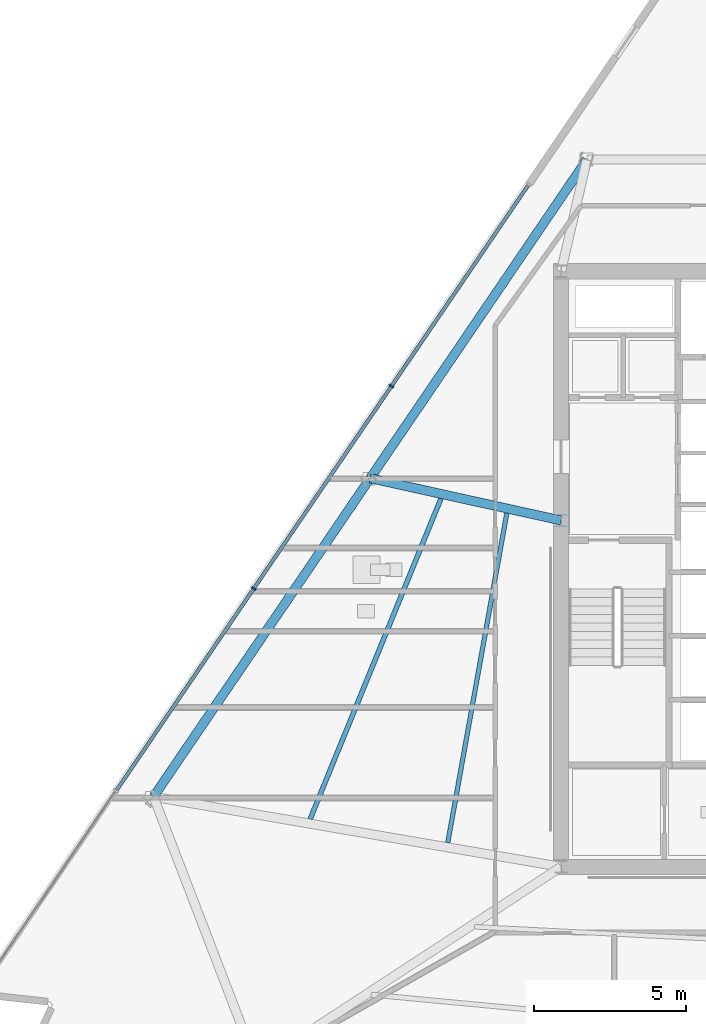
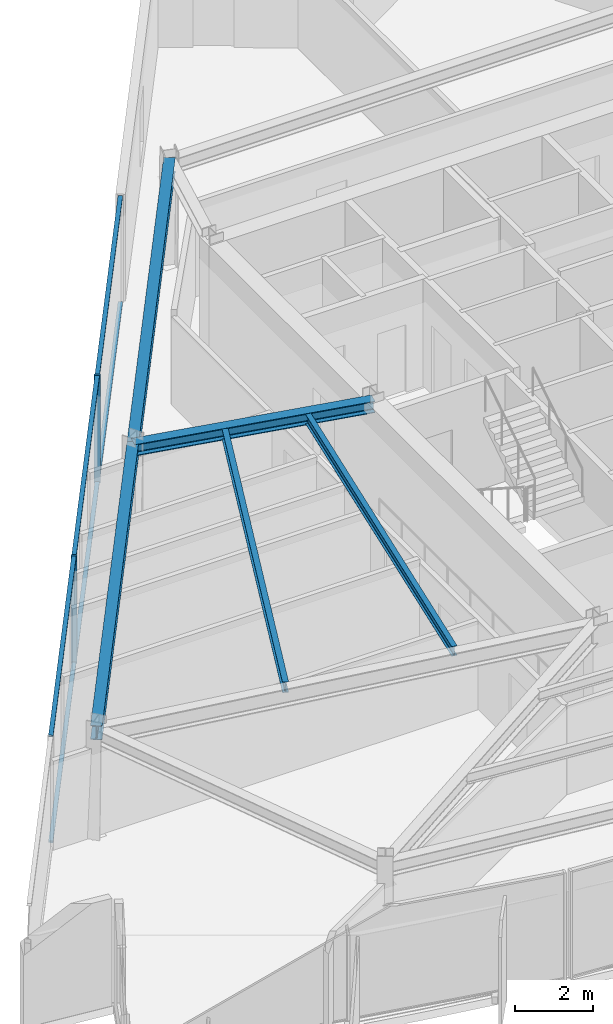
# One storey, part 4 of 16: 8 members, 5 beams, 1 element without a shape of its own.
"""IFC4 building model written with IfcOpenShell, lengths in metres."""

from ifc_helpers import new_model, si_unit, direction, frame, origin, origin_2d, place, context, subcontext, project, spatial, rectangle, i_section, extrude, material, material_profile, profile_set, type_object, element, aggregate, save


model = new_model("IFC4")

# Units and contexts
model_context = context("Model", 3, precision=1e-05, world=origin(), true_north=direction((0.0, 1.0)))
body_context = subcontext(model_context, "Body", "Model", "MODEL_VIEW")
ifc_project = project(units=[si_unit("LENGTHUNIT", "METRE"), si_unit("AREAUNIT", "SQUARE_METRE"), si_unit("VOLUMEUNIT", "CUBIC_METRE"), si_unit("PLANEANGLEUNIT", "RADIAN"), si_unit("MASSUNIT", "GRAM", prefix="KILO")], contexts=[model_context])

# Site, building, storey
site_placement = place(None, origin())
site = spatial("IfcSite", under=ifc_project, at=site_placement, CompositionType="ELEMENT")
building_placement = place(site_placement, origin())
building = spatial("IfcBuilding", under=site, at=building_placement, Name="Savorim Split Tower", CompositionType="ELEMENT")
storey_placement = place(building_placement, frame((0.0, 0.0, 156.60009765625)))
storey = spatial("IfcBuildingStorey", under=building, at=storey_placement, Name="L41", CompositionType="ELEMENT", Elevation=156.60009765625)

# Beams
ifc_material_1 = material(Name="Steel S355", Category="steel")
ifc_material_profile_1 = material_profile(ifc_material_1, i_section(OverallWidth=0.14990234375, OverallDepth=0.300048828125, WebThickness=0.007080078125, FlangeThickness=0.0107421875, FilletRadius=0.014892578125, at=origin_2d()), Name="IPE 300")
ifc_profile_set_1 = profile_set([ifc_material_profile_1], Name="Steel S355")
beam_type_1 = type_object("IfcBeamType", Name="BM-JST-IPE300", PredefinedType="JOIST", material=ifc_profile_set_1)
beam_1_placement = place(storey_placement, frame((-9.487060546875, 2.231689453125, 3.199951171875), z_axis=(-0.176375166544, -0.984323016406, 0.0), x_axis=(0.984323016406, -0.176375166544, 0.0)))
element("IfcBeam", 1, at=beam_1_placement, inside=storey, type_object=beam_type_1, Name="L41 Secondary Floor Joist JS-11", PredefinedType="JOIST", context=body_context, shape_type="SweptSolid", body=[
    extrude(i_section(OverallWidth=0.14990234375, OverallDepth=0.300048828125, WebThickness=0.007080078125, FlangeThickness=0.0107421875, FilletRadius=0.014892578125, at=origin_2d()), origin(), (0.0, 0.0, 1.0), 11.000244140625),
])
ifc_material_profile_2 = material_profile(ifc_material_1, i_section(OverallWidth=0.159912109375, OverallDepth=0.330078125, WebThickness=0.007568359375, FlangeThickness=0.011474609375, FilletRadius=0.01806640625, at=origin_2d()), Name="IPE 330")
ifc_profile_set_2 = profile_set([ifc_material_profile_2], Name="Steel S355")
beam_type_2 = type_object("IfcBeamType", Name="BM-JST-IPE330", PredefinedType="JOIST", material=ifc_profile_set_2)
beam_2_placement = place(storey_placement, frame((-11.6552734375, 2.7138671875, 3.184814453125), z_axis=(-0.377900000327, -0.925846418016, 0.0), x_axis=(0.925846418016, -0.377900000327, 0.0)))
element("IfcBeam", 2, at=beam_2_placement, inside=storey, type_object=beam_type_2, Name="L41 Secondary Floor Joist JS-10", PredefinedType="JOIST", context=body_context, shape_type="SweptSolid", body=[
    extrude(i_section(OverallWidth=0.159912109375, OverallDepth=0.330078125, WebThickness=0.007568359375, FlangeThickness=0.011474609375, FilletRadius=0.01806640625, at=origin_2d()), origin(), (0.0, 0.0, 1.0), 11.378173828125),
])
ifc_material_profile_3 = material_profile(ifc_material_1, i_section(OverallWidth=0.300048828125, OverallDepth=0.360107421875, WebThickness=0.012451171875, FlangeThickness=0.0224609375, FilletRadius=0.027099609375, at=origin_2d()), Name="HEB 360")
ifc_profile_set_3 = profile_set([ifc_material_profile_3], Name="Steel S355")
beam_type_3 = type_object("IfcBeamType", Name="BM-PRI-HEB360", PredefinedType="BEAM", material=ifc_profile_set_3)
beam_3_placement = place(storey_placement, frame((-13.98193359375, 3.39013671875, 3.169921875), z_axis=(0.976379527613, -0.216062532751, 0.0), x_axis=(0.216062532751, 0.976379527613, 0.0)))
element("IfcBeam", 3, at=beam_3_placement, inside=storey, type_object=beam_type_3, Name="L41 Primary Floor Girder RG-09", PredefinedType="BEAM", context=body_context, shape_type="SweptSolid", body=[
    extrude(i_section(OverallWidth=0.300048828125, OverallDepth=0.360107421875, WebThickness=0.012451171875, FlangeThickness=0.0224609375, FilletRadius=0.027099609375, at=origin_2d()), origin(), (0.0, 0.0, 1.0), 6.433837890625),
])
ifc_material_profile_4 = material_profile(ifc_material_1, i_section(OverallWidth=0.300048828125, OverallDepth=0.43994140625, WebThickness=0.011474609375, FlangeThickness=0.02099609375, FilletRadius=0.027099609375, at=origin_2d()), Name="HEA 450")
ifc_profile_set_4 = profile_set([ifc_material_profile_4], Name="Steel S355")
beam_type_4 = type_object("IfcBeamType", Name="BM-SPN-HEA450", PredefinedType="SPANDREL", material=ifc_profile_set_4)
beam_4_placement = place(storey_placement, frame((-6.851318359375, 13.8720703125, 3.1298828125), z_axis=(-0.562466455714, -0.826820105099, 0.0), x_axis=(0.826820105099, -0.562466455714, 0.0)))
element("IfcBeam", 4, at=beam_4_placement, inside=storey, type_object=beam_type_4, Name="L41 Perimeter Spandrel Beam 8", PredefinedType="SPANDREL", context=body_context, shape_type="SweptSolid", body=[
    extrude(i_section(OverallWidth=0.300048828125, OverallDepth=0.43994140625, WebThickness=0.011474609375, FlangeThickness=0.02099609375, FilletRadius=0.027099609375, at=origin_2d()), origin(), (0.0, 0.0, 1.0), 12.677490234375),
])
beam_5_placement = place(storey_placement, frame((-13.98193359375, 3.39013671875, 3.1298828125), z_axis=(-0.562462246332, -0.826822968628, 0.0), x_axis=(0.826822968628, -0.562462246332, 0.0)))
element("IfcBeam", 5, at=beam_5_placement, inside=storey, type_object=beam_type_4, Name="L41 Perimeter Spandrel Beam 9", PredefinedType="SPANDREL", context=body_context, shape_type="SweptSolid", body=[
    extrude(i_section(OverallWidth=0.300048828125, OverallDepth=0.43994140625, WebThickness=0.011474609375, FlangeThickness=0.02099609375, FilletRadius=0.027099609375, at=origin_2d()), origin(), (0.0, 0.0, 1.0), 12.677001953125),
])

# Curtain wall, members
ifc_material_2 = material(Name="Dark Ceramic-Fritted Insulated Glass", Category="glass")
curtain_wall_type = type_object("IfcCurtainWallType", Name="CW-TWR-FRIT-B", PredefinedType="NOTDEFINED", material=ifc_material_2)
curtain_wall_placement = place(storey_placement, origin())
curtain_wall = element("IfcCurtainWall", 6, at=curtain_wall_placement, inside=storey, type_object=curtain_wall_type, Name="L41 Curtain Wall CW-L41-WEST", PredefinedType="NOTDEFINED")
ifc_material_3 = material(Name="Charcoal Anodised Aluminium", Category="aluminium")
ifc_material_profile_5 = material_profile(ifc_material_3, rectangle(XDim=0.159912109375, YDim=0.06005859375, at=origin_2d()), Name="ALU-M 160x60")
ifc_profile_set_5 = profile_set([ifc_material_profile_5], Name="Charcoal Anodised Aluminium")
member_type_1 = type_object("IfcMemberType", Name="CWM-160x60", PredefinedType="MULLION", material=ifc_profile_set_5)
member_1_placement = place(storey_placement, frame((-13.281494140625, 6.42041015625, 0.0), z_axis=(0.0, 0.0, 1.0), x_axis=(0.826820104662, -0.562466456356, 0.0)))
member_1 = element("IfcMember", 7, at=member_1_placement, type_object=member_type_1, Name="CW-03 mullion 2", PredefinedType="MULLION", context=body_context, shape_type="SweptSolid", body=[
    extrude(rectangle(XDim=0.159912109375, YDim=0.06005859375, at=origin_2d()), origin(), (0.0, 0.0, 1.0), 3.349853515625),
])
member_2_placement = place(storey_placement, frame((-17.8125, -0.240234375, 0.0), z_axis=(0.0, 0.0, 1.0), x_axis=(0.826820104662, -0.562466456356, 0.0)))
member_2 = element("IfcMember", 8, at=member_2_placement, type_object=member_type_1, Name="CW-03 mullion 3", PredefinedType="MULLION", context=body_context, shape_type="SweptSolid", body=[
    extrude(rectangle(XDim=0.159912109375, YDim=0.06005859375, at=origin_2d()), origin(), (0.0, 0.0, 1.0), 3.349853515625),
])
ifc_material_profile_6 = material_profile(ifc_material_3, rectangle(XDim=0.1201171875, YDim=0.050048828125, at=origin_2d()), Name="ALU-T 120x50")
ifc_profile_set_6 = profile_set([ifc_material_profile_6], Name="Charcoal Anodised Aluminium")
member_type_2 = type_object("IfcMemberType", Name="CWT-120x50", PredefinedType="USERDEFINED", material=ifc_profile_set_6)
member_3_placement = place(storey_placement, frame((-8.7841796875, 13.03125, 0.02490234375), z_axis=(-0.562470130004, -0.826817605554, 0.0), x_axis=(0.826817605554, -0.562470130004, 0.0)))
member_3 = element("IfcMember", 9, at=member_3_placement, type_object=member_type_2, Name="CW-03 transom 1.1", ObjectType="TRANSOM", PredefinedType="USERDEFINED", context=body_context, shape_type="SweptSolid", body=[
    extrude(rectangle(XDim=0.1201171875, YDim=0.050048828125, at=origin_2d()), origin(), (0.0, 0.0, 1.0), 7.9658203125),
])
member_4_placement = place(storey_placement, frame((-8.7841796875, 13.03125, 3.324951171875), z_axis=(-0.562470130004, -0.826817605554, 0.0), x_axis=(0.826817605554, -0.562470130004, 0.0)))
member_4 = element("IfcMember", 10, at=member_4_placement, type_object=member_type_2, Name="CW-03 transom 1.2", ObjectType="TRANSOM", PredefinedType="USERDEFINED", context=body_context, shape_type="SweptSolid", body=[
    extrude(rectangle(XDim=0.1201171875, YDim=0.050048828125, at=origin_2d()), origin(), (0.0, 0.0, 1.0), 7.9658203125),
])
member_5_placement = place(storey_placement, frame((-13.29833984375, 6.3955078125, 0.02490234375), z_axis=(-0.562476212663, -0.82681346759, 0.0), x_axis=(0.82681346759, -0.562476212663, 0.0)))
member_5 = element("IfcMember", 11, at=member_5_placement, type_object=member_type_2, Name="CW-03 transom 2.1", ObjectType="TRANSOM", PredefinedType="USERDEFINED", context=body_context, shape_type="SweptSolid", body=[
    extrude(rectangle(XDim=0.1201171875, YDim=0.050048828125, at=origin_2d()), origin(), (0.0, 0.0, 1.0), 7.99560546875),
])
member_6_placement = place(storey_placement, frame((-13.29833984375, 6.3955078125, 3.324951171875), z_axis=(-0.562476212663, -0.82681346759, 0.0), x_axis=(0.82681346759, -0.562476212663, 0.0)))
member_6 = element("IfcMember", 12, at=member_6_placement, type_object=member_type_2, Name="CW-03 transom 2.2", ObjectType="TRANSOM", PredefinedType="USERDEFINED", context=body_context, shape_type="SweptSolid", body=[
    extrude(rectangle(XDim=0.1201171875, YDim=0.050048828125, at=origin_2d()), origin(), (0.0, 0.0, 1.0), 7.99560546875),
])
member_7_placement = place(storey_placement, frame((-17.829345703125, -0.264892578125, 0.02490234375), z_axis=(-0.56246201247, -0.826823127717, 0.0), x_axis=(0.826823127717, -0.56246201247, 0.0)))
member_7 = element("IfcMember", 13, at=member_7_placement, type_object=member_type_2, Name="CW-03 transom 3.1", ObjectType="TRANSOM", PredefinedType="USERDEFINED", context=body_context, shape_type="SweptSolid", body=[
    extrude(rectangle(XDim=0.1201171875, YDim=0.050048828125, at=origin_2d()), origin(), (0.0, 0.0, 1.0), 7.995849609375),
])
member_8_placement = place(storey_placement, frame((-17.829345703125, -0.264892578125, 3.324951171875), z_axis=(-0.56246201247, -0.826823127717, 0.0), x_axis=(0.826823127717, -0.56246201247, 0.0)))
member_8 = element("IfcMember", 14, at=member_8_placement, type_object=member_type_2, Name="CW-03 transom 3.2", ObjectType="TRANSOM", PredefinedType="USERDEFINED", context=body_context, shape_type="SweptSolid", body=[
    extrude(rectangle(XDim=0.1201171875, YDim=0.050048828125, at=origin_2d()), origin(), (0.0, 0.0, 1.0), 7.995849609375),
])
aggregate(curtain_wall, [member_1, member_2, member_3, member_4, member_5, member_6, member_7, member_8])

save(model, "model.ifc")
